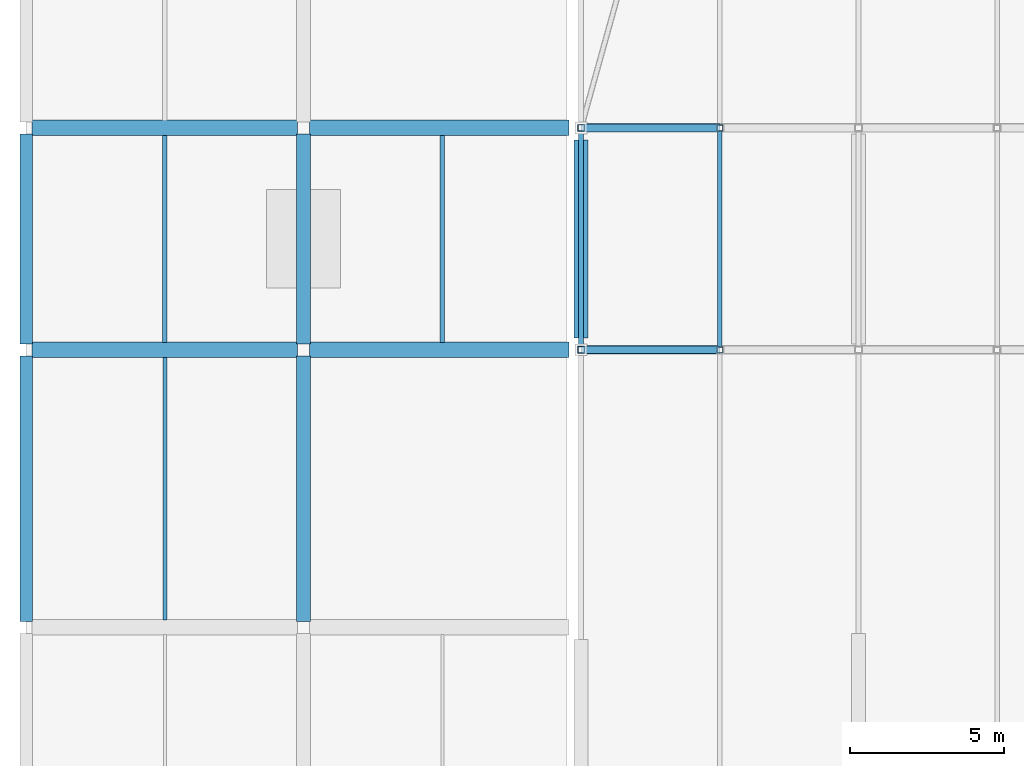
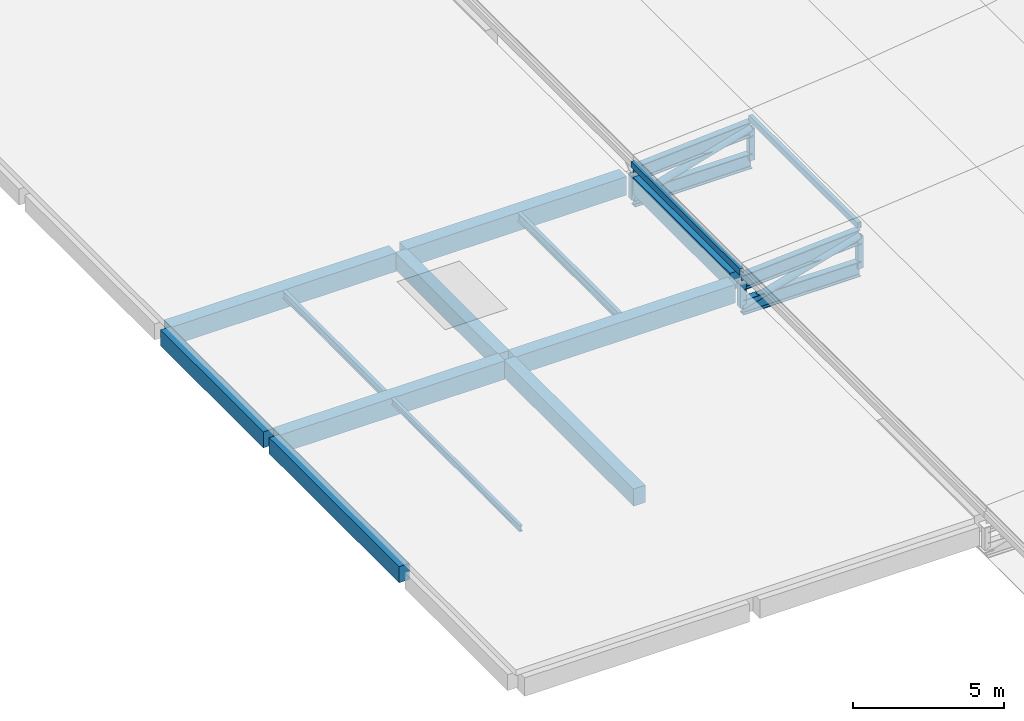
# One storey, part 3 of 24: 16 beams, 8 members.
"""IFC4 building model written with IfcOpenShell, lengths in metres."""

from ifc_helpers import new_model, si_unit, direction, frame, origin, origin_2d, place, context, subcontext, project, spatial, rectangle, hollow_rectangle, hollow_circle, i_section, extrude, material, material_profile, profile_set, type_object, element, save


model = new_model("IFC4")

# Units and contexts
model_context = context("Model", 3, precision=1e-05, world=origin(), true_north=direction((0.0, 1.0)))
body_context = subcontext(model_context, "Body", "Model", "MODEL_VIEW")
ifc_project = project(units=[si_unit("LENGTHUNIT", "METRE"), si_unit("AREAUNIT", "SQUARE_METRE"), si_unit("VOLUMEUNIT", "CUBIC_METRE"), si_unit("PLANEANGLEUNIT", "RADIAN"), si_unit("MASSUNIT", "GRAM", prefix="KILO"), si_unit("THERMODYNAMICTEMPERATUREUNIT", "KELVIN"), si_unit("POWERUNIT", "WATT")], contexts=[model_context])

# Site, building, storey
site_placement = place(None, origin())
site = spatial("IfcSite", under=ifc_project, at=site_placement, CompositionType="ELEMENT")
building_placement = place(site_placement, origin())
building = spatial("IfcBuilding", under=site, at=building_placement, Name="Sindhuravela Promenade Stadium", CompositionType="ELEMENT")
storey_placement = place(building_placement, frame((0.0, 0.0, 28.800048828125)))
storey = spatial("IfcBuildingStorey", under=building, at=storey_placement, Name="RF", CompositionType="ELEMENT", Elevation=28.800048828125)

# Beams
ifc_material_1 = material(Name="Concrete M40", Category="concrete")
ifc_material_profile_1 = material_profile(ifc_material_1, rectangle(XDim=0.39990234375, YDim=0.64990234375, at=origin_2d()), Name="RC 400x650")
ifc_profile_set_1 = profile_set([ifc_material_profile_1], Name="Concrete M40")
beam_type_1 = type_object("IfcBeamType", Name="RC-BM-400x650", PredefinedType="SPANDREL", material=ifc_profile_set_1)
beam_1_placement = place(storey_placement, frame((0.0, 52.393310546875, -0.56494140625), z_axis=(0.0, 1.0, 0.0), x_axis=(-1.0, 0.0, 0.0)))
element("IfcBeam", 1, at=beam_1_placement, inside=storey, type_object=beam_type_1, Name="Primary beam SP01 WEST RF", PredefinedType="SPANDREL", context=body_context, shape_type="SweptSolid", body=[
    extrude(rectangle(XDim=0.39990234375, YDim=0.64990234375, at=origin_2d()), origin(), (0.0, 0.0, 1.0), 8.613525390625),
])
beam_2_placement = place(storey_placement, frame((0.0, 61.393310546875, -0.56494140625), z_axis=(0.0, 1.0, 0.0), x_axis=(-1.0, 0.0, 0.0)))
element("IfcBeam", 2, at=beam_2_placement, inside=storey, type_object=beam_type_1, Name="Primary beam SP01 WEST RF", PredefinedType="SPANDREL", context=body_context, shape_type="SweptSolid", body=[
    extrude(rectangle(XDim=0.39990234375, YDim=0.64990234375, at=origin_2d()), origin(), (0.0, 0.0, 1.0), 6.8134765625),
])
ifc_material_profile_2 = material_profile(ifc_material_1, rectangle(XDim=0.449951171875, YDim=0.699951171875, at=origin_2d()), Name="RC 450x700")
ifc_profile_set_2 = profile_set([ifc_material_profile_2], Name="Concrete M40")
beam_type_2 = type_object("IfcBeamType", Name="RC-BM-450x700", PredefinedType="BEAM", material=ifc_profile_set_2)
beam_3_placement = place(storey_placement, frame((9.0, 52.393310546875, -0.590087890625), z_axis=(0.0, 1.0, 0.0), x_axis=(-1.0, 0.0, 0.0)))
element("IfcBeam", 3, at=beam_3_placement, inside=storey, type_object=beam_type_2, Name="Primary beam GB07 WEST RF", PredefinedType="BEAM", context=body_context, shape_type="SweptSolid", body=[
    extrude(rectangle(XDim=0.449951171875, YDim=0.699951171875, at=origin_2d()), origin(), (0.0, 0.0, 1.0), 8.613525390625),
])
beam_4_placement = place(storey_placement, frame((9.0, 61.393310546875, -0.590087890625), z_axis=(0.0, 1.0, 0.0), x_axis=(-1.0, 0.0, 0.0)))
element("IfcBeam", 4, at=beam_4_placement, inside=storey, type_object=beam_type_2, Name="Primary beam GB07 WEST RF", PredefinedType="BEAM", context=body_context, shape_type="SweptSolid", body=[
    extrude(rectangle(XDim=0.449951171875, YDim=0.699951171875, at=origin_2d()), origin(), (0.0, 0.0, 1.0), 6.8134765625),
])
beam_5_placement = place(storey_placement, frame((18.0, 61.590087890625, -0.590087890625), z_axis=(0.0, 1.0, 0.0), x_axis=(-1.0, 0.0, 0.0)))
element("IfcBeam", 5, at=beam_5_placement, inside=storey, type_object=beam_type_2, Name="Primary beam GB07 WEST RF", PredefinedType="BEAM", context=body_context, shape_type="SweptSolid", body=[
    extrude(rectangle(XDim=0.449951171875, YDim=0.699951171875, at=origin_2d()), origin(), (0.0, 0.0, 1.0), 6.419921875),
])
ifc_material_profile_3 = material_profile(ifc_material_1, rectangle(XDim=0.5, YDim=0.75, at=origin_2d()), Name="RC 500x750")
ifc_profile_set_3 = profile_set([ifc_material_profile_3], Name="Concrete M40")
beam_type_3 = type_object("IfcBeamType", Name="RC-BM-500x750", PredefinedType="BEAM", material=ifc_profile_set_3)
beam_6_placement = place(storey_placement, frame((0.193115234375, 61.199951171875, -0.614990234375), z_axis=(1.0, 0.0, 0.0), x_axis=(0.0, 1.0, 0.0)))
element("IfcBeam", 6, at=beam_6_placement, inside=storey, type_object=beam_type_3, Name="Primary girder GB06 WEST RF", PredefinedType="BEAM", context=body_context, shape_type="SweptSolid", body=[
    extrude(rectangle(XDim=0.5, YDim=0.75, at=origin_2d()), origin(), (0.0, 0.0, 1.0), 8.61376953125),
])
beam_7_placement = place(storey_placement, frame((9.193115234375, 61.199951171875, -0.614990234375), z_axis=(1.0, 0.0, 0.0), x_axis=(0.0, 1.0, 0.0)))
element("IfcBeam", 7, at=beam_7_placement, inside=storey, type_object=beam_type_3, Name="Primary girder GB06 WEST RF", PredefinedType="BEAM", context=body_context, shape_type="SweptSolid", body=[
    extrude(rectangle(XDim=0.5, YDim=0.75, at=origin_2d()), origin(), (0.0, 0.0, 1.0), 8.4169921875),
])
beam_8_placement = place(storey_placement, frame((0.193115234375, 68.39990234375, -0.614990234375), z_axis=(1.0, 0.0, 0.0), x_axis=(0.0, 1.0, 0.0)))
element("IfcBeam", 8, at=beam_8_placement, inside=storey, type_object=beam_type_3, Name="Primary girder GB06 WEST RF", PredefinedType="BEAM", context=body_context, shape_type="SweptSolid", body=[
    extrude(rectangle(XDim=0.5, YDim=0.75, at=origin_2d()), origin(), (0.0, 0.0, 1.0), 8.61376953125),
])
beam_9_placement = place(storey_placement, frame((9.193115234375, 68.39990234375, -0.614990234375), z_axis=(1.0, 0.0, 0.0), x_axis=(0.0, 1.0, 0.0)))
element("IfcBeam", 9, at=beam_9_placement, inside=storey, type_object=beam_type_3, Name="Primary girder GB06 WEST RF", PredefinedType="BEAM", context=body_context, shape_type="SweptSolid", body=[
    extrude(rectangle(XDim=0.5, YDim=0.75, at=origin_2d()), origin(), (0.0, 0.0, 1.0), 8.4169921875),
])
ifc_material_2 = material(Name="Steel E350 (IS 2062 E350BR)", Category="steel")
ifc_material_profile_4 = material_profile(ifc_material_2, i_section(OverallWidth=0.125, OverallDepth=0.25, WebThickness=0.0068359375, FlangeThickness=0.012451171875, FilletRadius=0.012939453125, at=origin_2d()), Name="ISMB 250")
ifc_profile_set_4 = profile_set([ifc_material_profile_4], Name="Steel E350 (IS 2062 E350BR)")
beam_type_4 = type_object("IfcBeamType", Name="ST-BM-MB250", PredefinedType="JOIST", material=ifc_profile_set_4)
beam_10_placement = place(storey_placement, frame((4.5, 52.43994140625, -0.364990234375), z_axis=(0.0, 1.0, 0.0), x_axis=(-1.0, 0.0, 0.0)))
element("IfcBeam", 10, at=beam_10_placement, inside=storey, type_object=beam_type_4, Name="Secondary floor joist SB02 WEST RF", PredefinedType="JOIST", context=body_context, shape_type="SweptSolid", body=[
    extrude(i_section(OverallWidth=0.125, OverallDepth=0.25, WebThickness=0.0068359375, FlangeThickness=0.012451171875, FilletRadius=0.012939453125, at=origin_2d()), origin(), (0.0, 0.0, 1.0), 8.52001953125),
])
ifc_material_profile_5 = material_profile(ifc_material_2, i_section(OverallWidth=0.139892578125, OverallDepth=0.300048828125, WebThickness=0.0078125, FlangeThickness=0.01318359375, FilletRadius=0.013916015625, at=origin_2d()), Name="ISMB 300")
ifc_profile_set_5 = profile_set([ifc_material_profile_5], Name="Steel E350 (IS 2062 E350BR)")
beam_type_5 = type_object("IfcBeamType", Name="ST-BM-MB300", PredefinedType="JOIST", material=ifc_profile_set_5)
beam_11_placement = place(storey_placement, frame((4.5, 61.43994140625, -0.39013671875), z_axis=(0.0, 1.0, 0.0), x_axis=(-1.0, 0.0, 0.0)))
element("IfcBeam", 11, at=beam_11_placement, inside=storey, type_object=beam_type_5, Name="Secondary floor joist SB03 WEST RF", PredefinedType="JOIST", context=body_context, shape_type="SweptSolid", body=[
    extrude(i_section(OverallWidth=0.139892578125, OverallDepth=0.300048828125, WebThickness=0.0078125, FlangeThickness=0.01318359375, FilletRadius=0.013916015625, at=origin_2d()), origin(), (0.0, 0.0, 1.0), 6.719970703125),
])
ifc_material_profile_6 = material_profile(ifc_material_2, i_section(OverallWidth=0.139892578125, OverallDepth=0.35009765625, WebThickness=0.008056640625, FlangeThickness=0.01416015625, FilletRadius=0.013916015625, at=origin_2d()), Name="ISMB 350")
ifc_profile_set_6 = profile_set([ifc_material_profile_6], Name="Steel E350 (IS 2062 E350BR)")
beam_type_6 = type_object("IfcBeamType", Name="ST-BM-MB350", PredefinedType="JOIST", material=ifc_profile_set_6)
beam_12_placement = place(storey_placement, frame((13.5, 61.43994140625, -0.4150390625), z_axis=(0.0, 1.0, 0.0), x_axis=(-1.0, 0.0, 0.0)))
element("IfcBeam", 12, at=beam_12_placement, inside=storey, type_object=beam_type_6, Name="Secondary floor joist SB04 WEST RF", PredefinedType="JOIST", context=body_context, shape_type="SweptSolid", body=[
    extrude(i_section(OverallWidth=0.139892578125, OverallDepth=0.35009765625, WebThickness=0.008056640625, FlangeThickness=0.01416015625, FilletRadius=0.013916015625, at=origin_2d()), origin(), (0.0, 0.0, 1.0), 6.719970703125),
])
ifc_material_profile_7 = material_profile(ifc_material_2, i_section(OverallWidth=0.25, OverallDepth=0.60009765625, WebThickness=0.01171875, FlangeThickness=0.023681640625, FilletRadius=0.01708984375, at=origin_2d()), Name="ISWB 600")
ifc_profile_set_7 = profile_set([ifc_material_profile_7], Name="Steel E350 (IS 2062 E350BR)")
beam_type_7 = type_object("IfcBeamType", Name="ST-BM-WB600", PredefinedType="USERDEFINED", material=ifc_profile_set_7)
beam_13_placement = place(storey_placement, frame((18.0, 61.199951171875, -0.400146484375), z_axis=(0.9978804116779728, 0.0, 0.06507444958967683), x_axis=(0.0, 1.0, 0.0)))
element("IfcBeam", 13, at=beam_13_placement, inside=storey, type_object=beam_type_7, Name="Roof truss RT-W03 top chord 1", ObjectType="ROOF TRUSS", PredefinedType="USERDEFINED", context=body_context, shape_type="SweptSolid", body=[
    extrude(i_section(OverallWidth=0.25, OverallDepth=0.60009765625, WebThickness=0.01171875, FlangeThickness=0.023681640625, FilletRadius=0.01708984375, at=origin_2d()), origin(), (0.0, 0.0, 1.0), 4.509521484375),
])
beam_14_placement = place(storey_placement, frame((18.0, 61.199951171875, -1.400146484375), z_axis=(1.0, 0.0, 0.0), x_axis=(0.0, 1.0, 0.0)))
element("IfcBeam", 14, at=beam_14_placement, inside=storey, type_object=beam_type_7, Name="Roof truss RT-W03 bottom chord 1", ObjectType="ROOF TRUSS", PredefinedType="USERDEFINED", context=body_context, shape_type="SweptSolid", body=[
    extrude(i_section(OverallWidth=0.25, OverallDepth=0.60009765625, WebThickness=0.01171875, FlangeThickness=0.023681640625, FilletRadius=0.01708984375, at=origin_2d()), origin(), (0.0, 0.0, 1.0), 4.5),
])
beam_15_placement = place(storey_placement, frame((18.0, 68.39990234375, -0.400146484375), z_axis=(0.9978804116779728, 0.0, 0.06507444958967683), x_axis=(0.0, 1.0, 0.0)))
element("IfcBeam", 15, at=beam_15_placement, inside=storey, type_object=beam_type_7, Name="Roof truss RT-W04 top chord 1", ObjectType="ROOF TRUSS", PredefinedType="USERDEFINED", context=body_context, shape_type="SweptSolid", body=[
    extrude(i_section(OverallWidth=0.25, OverallDepth=0.60009765625, WebThickness=0.01171875, FlangeThickness=0.023681640625, FilletRadius=0.01708984375, at=origin_2d()), origin(), (0.0, 0.0, 1.0), 4.509521484375),
])
beam_16_placement = place(storey_placement, frame((18.0, 68.39990234375, -1.400146484375), z_axis=(1.0, 0.0, 0.0), x_axis=(0.0, 1.0, 0.0)))
element("IfcBeam", 16, at=beam_16_placement, inside=storey, type_object=beam_type_7, Name="Roof truss RT-W04 bottom chord 1", ObjectType="ROOF TRUSS", PredefinedType="USERDEFINED", context=body_context, shape_type="SweptSolid", body=[
    extrude(i_section(OverallWidth=0.25, OverallDepth=0.60009765625, WebThickness=0.01171875, FlangeThickness=0.023681640625, FilletRadius=0.01708984375, at=origin_2d()), origin(), (0.0, 0.0, 1.0), 4.5),
])

# Members
ifc_material_profile_8 = material_profile(ifc_material_2, hollow_circle(Radius=0.136474609375, WallThickness=0.010009765625, at=origin_2d()), Name="CHS 273.0x10")
ifc_profile_set_8 = profile_set([ifc_material_profile_8], Name="Steel E350 (IS 2062 E350BR)")
member_type_1 = type_object("IfcMemberType", Name="ST-MB-CHS273", PredefinedType="BRACE", material=ifc_profile_set_8)
for number, where, z_axis, x_axis, name in (
    (17, (18.0, 61.199951171875, -1.400146484375), (0.9610859178775457, 0.0, 0.2762496306920159), (0.0, 1.0, 0.0), "Roof truss RT-W03 diagonal web 1"),
    (18, (18.0, 68.39990234375, -1.400146484375), (0.9610859178775457, 0.0, 0.2762496306920159), (0.0, 1.0, 0.0), "Roof truss RT-W04 diagonal web 1"),
):
    element("IfcMember", number, at=place(storey_placement, frame(where, z_axis=z_axis, x_axis=x_axis)), inside=storey, type_object=member_type_1, Name=name, PredefinedType="BRACE", context=body_context, shape_type="SweptSolid", body=[
        extrude(hollow_circle(Radius=0.136474609375, WallThickness=0.010009765625, at=origin_2d()), origin(), (0.0, 0.0, 1.0), 4.68212890625),
    ])
ifc_material_profile_9 = material_profile(ifc_material_2, hollow_rectangle(XDim=0.14990234375, YDim=0.25, WallThickness=0.010009765625, at=origin_2d()), Name="RHS 250x150x10")
ifc_profile_set_9 = profile_set([ifc_material_profile_9], Name="Steel E350 (IS 2062 E350BR)")
member_type_2 = type_object("IfcMemberType", Name="ST-MB-RHS250", PredefinedType="PURLIN", material=ifc_profile_set_9)
for number, where, z_axis, x_axis, name in (
    (19, (18.0, 61.199951171875, -0.008056640625), (0.0, 1.0, 0.0), (-1.0, 0.0, 0.0), "Roof purlin PR01 W bay 3.1"),
    (20, (22.5, 61.199951171875, 0.28515625), (0.0, 1.0, 0.0), (-1.0, 0.0, 0.0), "Roof purlin PR01 W bay 3.2"),
):
    element("IfcMember", number, at=place(storey_placement, frame(where, z_axis=z_axis, x_axis=x_axis)), inside=storey, type_object=member_type_2, Name=name, PredefinedType="PURLIN", context=body_context, shape_type="SweptSolid", body=[
        extrude(hollow_rectangle(XDim=0.14990234375, YDim=0.25, WallThickness=0.010009765625, at=origin_2d()), origin(), (0.0, 0.0, 1.0), 7.199951171875),
    ])
ifc_material_profile_10 = material_profile(ifc_material_2, hollow_rectangle(XDim=0.199951171875, YDim=0.199951171875, WallThickness=0.010009765625, at=origin_2d()), Name="SHS 200x200x10")
ifc_profile_set_10 = profile_set([ifc_material_profile_10], Name="Steel E350 (IS 2062 E350BR)")
member_type_3 = type_object("IfcMemberType", Name="ST-MB-SHS200", PredefinedType="POST", material=ifc_profile_set_10)
for number, where, z_axis, x_axis, name in (
    (21, (22.5, 61.199951171875, -1.400146484375), (0.0, 0.0, 1.0), (1.0, 0.0, 0.0), "Roof truss RT-W03 vertical post 2"),
    (22, (22.5, 68.39990234375, -1.400146484375), (0.0, 0.0, 1.0), (1.0, 0.0, 0.0), "Roof truss RT-W04 vertical post 2"),
):
    element("IfcMember", number, at=place(storey_placement, frame(where, z_axis=z_axis, x_axis=x_axis)), inside=storey, type_object=member_type_3, Name=name, PredefinedType="POST", context=body_context, shape_type="SweptSolid", body=[
        extrude(hollow_rectangle(XDim=0.199951171875, YDim=0.199951171875, WallThickness=0.010009765625, at=origin_2d()), origin(), (0.0, 0.0, 1.0), 1.29345703125),
    ])
ifc_material_profile_11 = material_profile(ifc_material_2, hollow_rectangle(XDim=0.219970703125, YDim=0.219970703125, WallThickness=0.011962890625, at=origin_2d()), Name="SHS 220x220x12")
ifc_profile_set_11 = profile_set([ifc_material_profile_11], Name="Steel E350 (IS 2062 E350BR)")
member_type_4 = type_object("IfcMemberType", Name="ST-MB-SHS220", PredefinedType="POST", material=ifc_profile_set_11)
for number, where, z_axis, x_axis, name in (
    (23, (18.0, 61.199951171875, -1.400146484375), (0.0, 0.0, 1.0), (1.0, 0.0, 0.0), "Roof truss RT-W03 vertical post 1"),
    (24, (18.0, 68.39990234375, -1.400146484375), (0.0, 0.0, 1.0), (1.0, 0.0, 0.0), "Roof truss RT-W04 vertical post 1"),
):
    element("IfcMember", number, at=place(storey_placement, frame(where, z_axis=z_axis, x_axis=x_axis)), inside=storey, type_object=member_type_4, Name=name, PredefinedType="POST", context=body_context, shape_type="SweptSolid", body=[
        extrude(hollow_rectangle(XDim=0.219970703125, YDim=0.219970703125, WallThickness=0.011962890625, at=origin_2d()), origin(), (0.0, 0.0, 1.0), 1.0),
    ])

save(model, "model.ifc")
